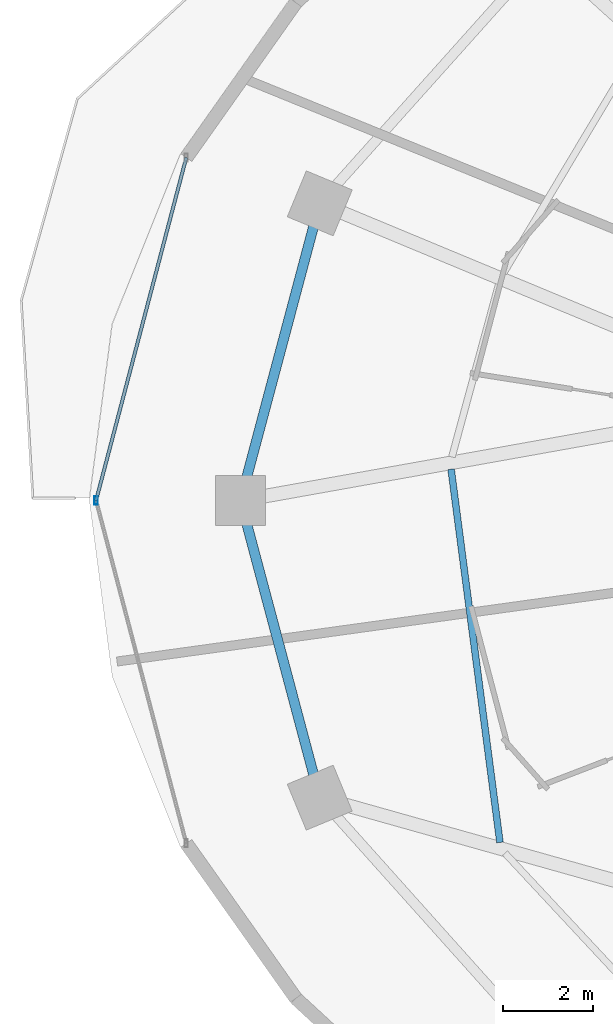
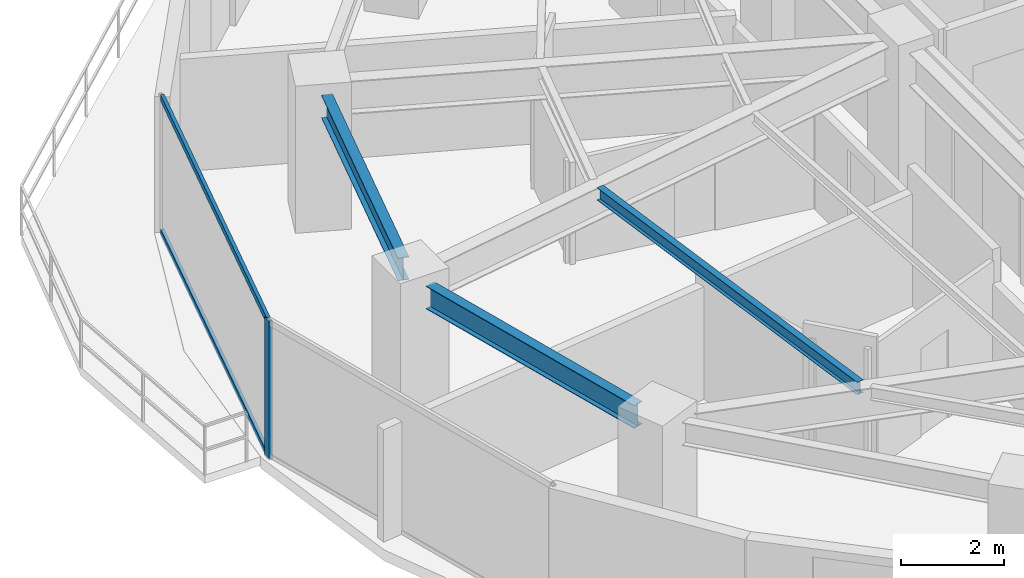
# One storey, part 6 of 30: 3 beams, 3 members, 1 element without a shape of its own.
"""IFC4 building model written with IfcOpenShell, lengths in metres."""

from ifc_helpers import new_model, si_unit, direction, frame, origin, origin_2d, place, context, subcontext, project, spatial, hollow_rectangle, i_section, extrude, material, material_profile, profile_set, type_object, element, aggregate, save


model = new_model("IFC4")

# Units and contexts
model_context = context("Model", 3, precision=1e-05, world=origin(), true_north=direction((0.0, 1.0)))
body_context = subcontext(model_context, "Body", "Model", "MODEL_VIEW")
ifc_project = project(units=[si_unit("LENGTHUNIT", "METRE"), si_unit("AREAUNIT", "SQUARE_METRE"), si_unit("VOLUMEUNIT", "CUBIC_METRE"), si_unit("PLANEANGLEUNIT", "RADIAN"), si_unit("MASSUNIT", "GRAM", prefix="KILO")], contexts=[model_context])

# Site, building, storey
site_placement = place(None, origin())
site = spatial("IfcSite", under=ifc_project, at=site_placement, CompositionType="ELEMENT")
building_placement = place(site_placement, origin())
building = spatial("IfcBuilding", under=site, at=building_placement, Name="Vorneva Point Tower", CompositionType="ELEMENT")
storey_placement = place(building_placement, frame((0.0, 0.0, 92.800048828125)))
storey = spatial("IfcBuildingStorey", under=building, at=storey_placement, Name="L24", CompositionType="ELEMENT", Elevation=92.800048828125)

# Beams
ifc_material_1 = material(Name="Steel S355", Category="steel")
ifc_material_profile_1 = material_profile(ifc_material_1, i_section(OverallWidth=0.14892578125, OverallDepth=0.298095703125, WebThickness=0.005615234375, FlangeThickness=0.008056640625, at=origin_2d()), Name="30B1")
ifc_profile_set_1 = profile_set([ifc_material_profile_1], Name="Steel S355")
beam_type_1 = type_object("IfcBeamType", Name="BM-JST-30B1", PredefinedType="JOIST", material=ifc_profile_set_1)
beam_placement = place(storey_placement, frame((19.614501953125, 26.694091796875, 3.091064453125), z_axis=(0.129791026269, -0.991541370544, 0.0), x_axis=(0.991541370544, 0.129791026269, 0.0)))
element("IfcBeam", 1, at=beam_placement, inside=storey, type_object=beam_type_1, Name="L24 Secondary Floor Beam 1.09", PredefinedType="JOIST", context=body_context, shape_type="SweptSolid", body=[
    extrude(i_section(OverallWidth=0.14892578125, OverallDepth=0.298095703125, WebThickness=0.005615234375, FlangeThickness=0.008056640625, at=origin_2d()), origin(), (0.0, 0.0, 1.0), 8.338623046875),
])
ifc_material_profile_2 = material_profile(ifc_material_1, i_section(OverallWidth=0.219970703125, OverallDepth=0.54296875, WebThickness=0.009521484375, FlangeThickness=0.013427734375, at=origin_2d()), Name="55B1")
ifc_profile_set_2 = profile_set([ifc_material_profile_2], Name="Steel S355")
beam_type_2 = type_object("IfcBeamType", Name="BM-SPN-55B1", PredefinedType="SPANDREL", material=ifc_profile_set_2)
for number, where, z_axis, x_axis, name in (
    (2, (16.56689453125, 32.065185546875, 2.968505859375), (-0.257572674071, -0.966258928845, 0.0), (0.966258928845, -0.257572674071, 0.0), "L24 Perimeter Spandrel Ring Beam 08"),
    (3, (15.087890625, 25.483154296875, 2.968505859375), (0.257572674071, -0.966258928845, 0.0), (0.966258928845, 0.257572674071, 0.0), "L24 Perimeter Spandrel Ring Beam 09"),
):
    element("IfcBeam", number, at=place(storey_placement, frame(where, z_axis=z_axis, x_axis=x_axis)), inside=storey, type_object=beam_type_2, Name=name, PredefinedType="SPANDREL", context=body_context, shape_type="SweptSolid", body=[
        extrude(i_section(OverallWidth=0.219970703125, OverallDepth=0.54296875, WebThickness=0.009521484375, FlangeThickness=0.013427734375, at=origin_2d()), origin(), (0.0, 0.0, 1.0), 5.7421875),
    ])

# Curtain wall, members
ifc_material_2 = material(Name="Pale anodised aluminium", Category="aluminium")
curtain_wall_type = type_object("IfcCurtainWallType", Name="CW-HTL-SYS", PredefinedType="NOTDEFINED", material=ifc_material_2)
curtain_wall_placement = place(storey_placement, origin())
curtain_wall = element("IfcCurtainWall", 4, at=curtain_wall_placement, inside=storey, type_object=curtain_wall_type, Name="L24 Unitised Curtain Wall CW-L24-R03", PredefinedType="NOTDEFINED")
ifc_material_profile_3 = material_profile(ifc_material_2, hollow_rectangle(XDim=0.074951171875, YDim=0.179931640625, WallThickness=0.00390625, at=origin_2d()), Name="AL-MUL 180x75x4")
ifc_profile_set_3 = profile_set([ifc_material_profile_3], Name="Pale anodised aluminium")
member_type_1 = type_object("IfcMemberType", Name="CW-MUL-180", PredefinedType="MULLION", material=ifc_profile_set_3)
member_1_placement = place(storey_placement, frame((11.75, 26.0, -0.0400390625), z_axis=(0.0, 0.0, 1.0), x_axis=(1.0, 0.0, 0.0)))
member_1 = element("IfcMember", 5, at=member_1_placement, type_object=member_type_1, Name="CW-L24-R03 Mullion 02", PredefinedType="MULLION", context=body_context, shape_type="SweptSolid", body=[
    extrude(hollow_rectangle(XDim=0.074951171875, YDim=0.179931640625, WallThickness=0.00390625, at=origin_2d()), origin(), (0.0, 0.0, 1.0), 3.31005859375),
])
ifc_material_profile_4 = material_profile(ifc_material_2, hollow_rectangle(XDim=0.074951171875, YDim=0.14990234375, WallThickness=0.00390625, at=origin_2d()), Name="AL-TRN 150x75x4")
ifc_profile_set_4 = profile_set([ifc_material_profile_4], Name="Pale anodised aluminium")
member_type_2 = type_object("IfcMemberType", Name="CW-TRN-150", PredefinedType="USERDEFINED", material=ifc_profile_set_4)
member_2_placement = place(storey_placement, frame((13.748291015625, 33.59619140625, 0.02001953125), z_axis=(-0.254409150465, -0.967096677773, 0.0), x_axis=(0.967096677773, -0.254409150465, 0.0)))
member_2 = element("IfcMember", 6, at=member_2_placement, type_object=member_type_2, Name="CW-L24-R03 Transom 01.1", ObjectType="TRANSOM", PredefinedType="USERDEFINED", context=body_context, shape_type="SweptSolid", body=[
    extrude(hollow_rectangle(XDim=0.074951171875, YDim=0.14990234375, WallThickness=0.00390625, at=origin_2d()), origin(), (0.0, 0.0, 1.0), 7.854736328125),
])
member_3_placement = place(storey_placement, frame((13.748291015625, 33.59619140625, 3.219970703125), z_axis=(-0.254409150465, -0.967096677773, 0.0), x_axis=(0.967096677773, -0.254409150465, 0.0)))
member_3 = element("IfcMember", 7, at=member_3_placement, type_object=member_type_2, Name="CW-L24-R03 Transom 01.2", ObjectType="TRANSOM", PredefinedType="USERDEFINED", context=body_context, shape_type="SweptSolid", body=[
    extrude(hollow_rectangle(XDim=0.074951171875, YDim=0.14990234375, WallThickness=0.00390625, at=origin_2d()), origin(), (0.0, 0.0, 1.0), 7.854736328125),
])
aggregate(curtain_wall, [member_1, member_2, member_3])

save(model, "model.ifc")
